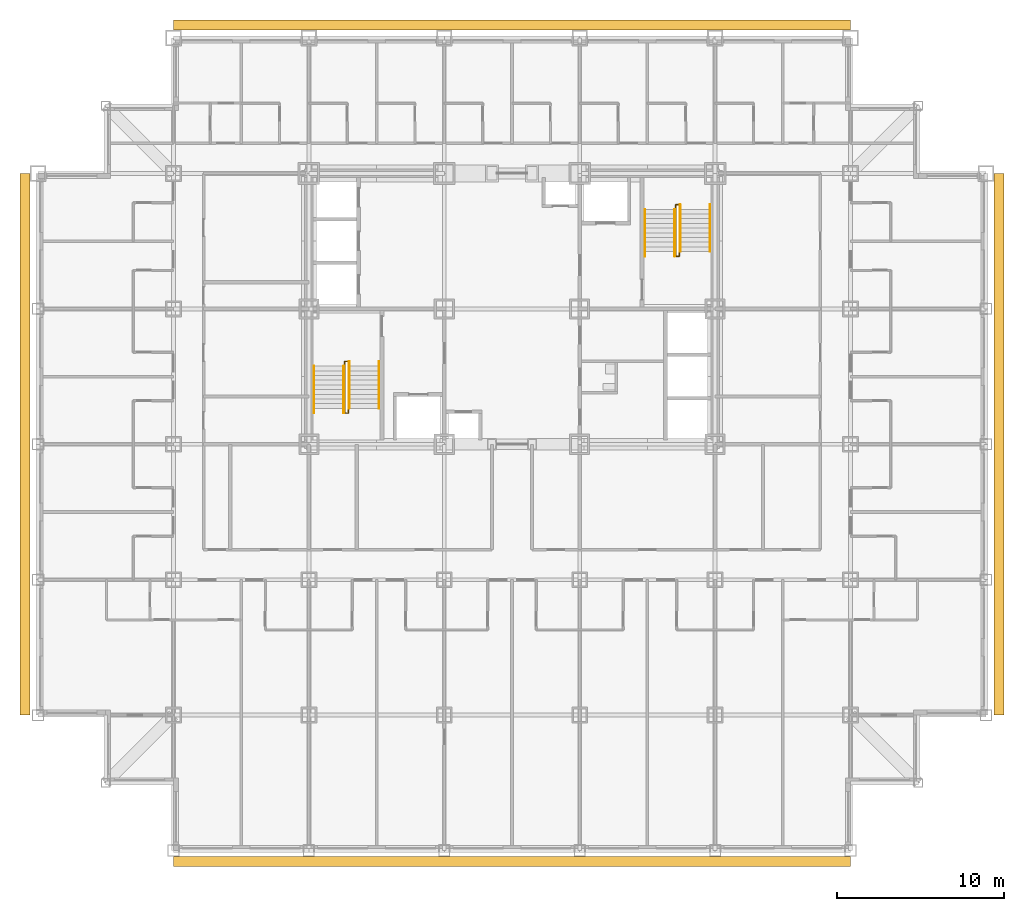
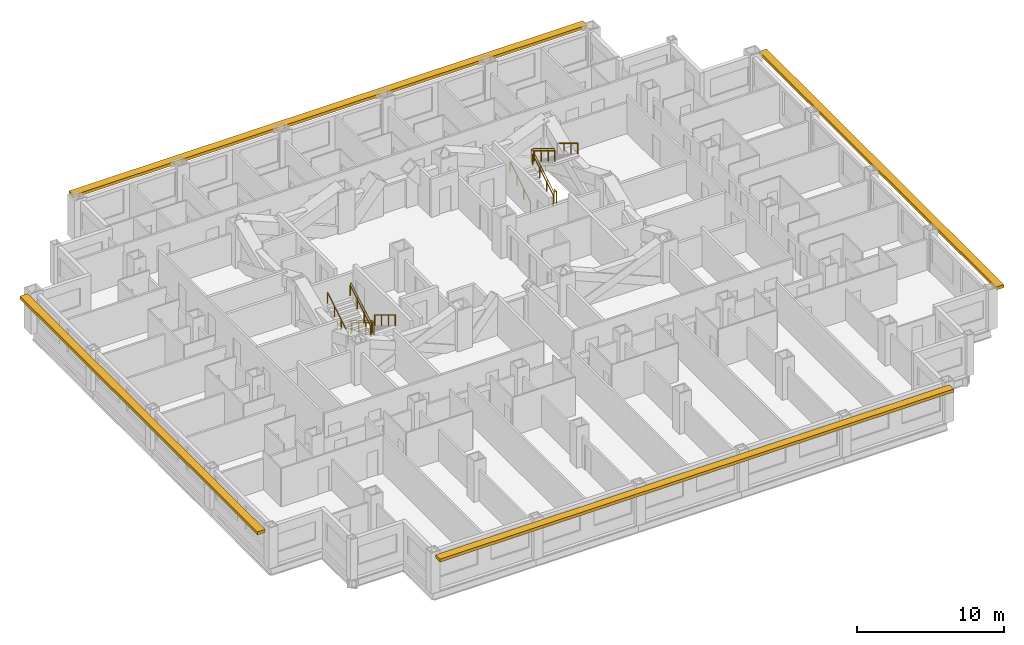
# One storey, part 12 of 13: 10 railings, 4 shading devices.
"""IFC4 building model written with IfcOpenShell, lengths in metres."""

import ifcopenshell
import ifcopenshell.guid

model = None  # the IFC model being written
_history = None  # IfcOwnerHistory: only IFC2X3 demands one
_inside = {}  # id of a spatial element -> (the spatial element, [elements in it])
_under = {}  # id of a project, library or spatial element -> (it, [spatial elements below it])
_declared = {}  # id of a project -> (the project, [libraries it declares])
_typed = {}  # id of a type object -> (the type object, [elements of that type])
_made_of = {}  # id of a material, layer set ... -> (it, [elements and type objects made of it])


def new_model(schema):
    """Start an empty IFC model of exactly this schema.

    Asked for "IFC4X3", IfcOpenShell would pick the latest addendum, in which some entities
    have other attributes; the version numbers below select the first issue.
    IFC2X3 requires an IfcOwnerHistory on every rooted entity: one is made here for all.
    """
    global model, _history
    if schema == "IFC4X3":
        model = ifcopenshell.file(schema_version=(4, 3, 0, 0))
    else:
        model = ifcopenshell.file(schema=schema)
    _inside.clear()
    _under.clear()
    _declared.clear()
    _typed.clear()
    _made_of.clear()
    _history = None
    if model.schema == "IFC2X3":
        org = make("IfcOrganization", Name="unknown")
        user = make(
            "IfcPersonAndOrganization",
            ThePerson=make("IfcPerson", FamilyName="unknown"),
            TheOrganization=org,
        )
        app = make(
            "IfcApplication",
            ApplicationDeveloper=org,
            Version="unknown",
            ApplicationFullName="unknown",
            ApplicationIdentifier="unknown",
        )
        _history = make(
            "IfcOwnerHistory",
            OwningUser=user,
            OwningApplication=app,
            ChangeAction="ADDED",
            CreationDate=0,
        )
    return model


def make(cls, **values):
    """One entity of the class cls with the attributes given. An attribute that is None is left unset."""
    return model.create_entity(
        cls, **{name: value for name, value in values.items() if value is not None}
    )


def rooted(cls, **values):
    """An entity with a GlobalId (a new one), such as an element, a storey or a relation."""
    return make(cls, GlobalId=ifcopenshell.guid.new(), OwnerHistory=_history, **values)


def si_unit(unit_type, name, prefix=None):
    """IfcSIUnit, for example si_unit("LENGTHUNIT", "METRE", prefix="MILLI")."""
    return make("IfcSIUnit", UnitType=unit_type, Prefix=prefix, Name=name)


def assignment(units):
    """IfcUnitAssignment: the units of a project."""
    return None if units is None else make("IfcUnitAssignment", Units=units)


def point(xyz):
    """IfcCartesianPoint."""
    return None if xyz is None else make("IfcCartesianPoint", Coordinates=xyz)


def direction(xyz):
    """IfcDirection."""
    return None if xyz is None else make("IfcDirection", DirectionRatios=xyz)


def frame(location, z_axis=None, x_axis=None):
    """IfcAxis2Placement3D, a coordinate frame: its origin and axes. An axis left out is left unset."""
    return make(
        "IfcAxis2Placement3D",
        Location=point(location),
        Axis=direction(z_axis),
        RefDirection=direction(x_axis),
    )


def frame_2d(location, x_axis=None):
    """IfcAxis2Placement2D, a coordinate frame in the plane: its origin and x axis."""
    return make(
        "IfcAxis2Placement2D", Location=point(location), RefDirection=direction(x_axis)
    )


def origin():
    """The frame at (0, 0, 0) with its axes left unset."""
    return frame((0.0, 0.0, 0.0))


def origin_2d():
    """The frame at (0, 0) in the plane with its x axis left unset."""
    return frame_2d((0.0, 0.0))


def place(relative_to, where):
    """IfcLocalPlacement: puts the frame where relative to a parent placement (None: the world)."""
    return make(
        "IfcLocalPlacement", PlacementRelTo=relative_to, RelativePlacement=where
    )


def context(
    kind, dimensions, precision=None, world=None, true_north=None, identifier=None
):
    """IfcGeometricRepresentationContext, for example the 3D "Model" context."""
    return make(
        "IfcGeometricRepresentationContext",
        ContextIdentifier=identifier,
        ContextType=kind,
        CoordinateSpaceDimension=dimensions,
        Precision=precision,
        WorldCoordinateSystem=world,
        TrueNorth=true_north,
    )


def subcontext(parent, identifier, kind, view, scale=None):
    """IfcGeometricRepresentationSubContext, for example "Body" below "Model"."""
    return make(
        "IfcGeometricRepresentationSubContext",
        ContextIdentifier=identifier,
        ContextType=kind,
        ParentContext=parent,
        TargetScale=scale,
        TargetView=view,
    )


def project(units=None, contexts=None):
    """IfcProject with its units and contexts."""
    return rooted(
        "IfcProject",
        Name="project",
        RepresentationContexts=contexts,
        UnitsInContext=assignment(units),
    )


def spatial(cls, under=None, at=None, **own):
    """A site, building, storey or space (cls), placed at a placement, below another one or the project."""
    s = rooted(cls, ObjectPlacement=at, **own)
    if under is not None:
        _under.setdefault(under.id(), (under, []))[1].append(s)
    return s


def profile(cls, at=None, kind="AREA", **sizes):
    """A parametric profile (cls). Its sizes go by their IFC names, for example OverallWidth=200.0."""
    return make(cls, ProfileType=kind, Position=at, **sizes)


def rectangle(**sizes):
    """IfcRectangleProfileDef."""
    return profile("IfcRectangleProfileDef", **sizes)


def circle(**sizes):
    """IfcCircleProfileDef."""
    return profile("IfcCircleProfileDef", **sizes)


def extrude(swept, where, along, depth):
    """IfcExtrudedAreaSolid: the profile swept, set in the frame where, extruded along a direction by depth."""
    return make(
        "IfcExtrudedAreaSolid",
        SweptArea=swept,
        Position=where,
        ExtrudedDirection=direction(along),
        Depth=depth,
    )


def shape(context_of_items, identifier, shape_type, items):
    """IfcShapeRepresentation: the items that make up one representation, for example the "Body"."""
    return make(
        "IfcShapeRepresentation",
        ContextOfItems=context_of_items,
        RepresentationIdentifier=identifier,
        RepresentationType=shape_type,
        Items=items,
    )


def material(Name=None, Category=None):
    """IfcMaterial."""
    return make("IfcMaterial", Name=Name, Category=Category)


def made_of(thing, what):
    """Note that an element or type object is made of a material, layer set ...; save() writes the relation."""
    if what is not None:
        _made_of.setdefault(what.id(), (what, []))[1].append(thing)
    return thing


def type_object(cls, material=None, **own):
    """A type object (cls), such as IfcWallType, which elements share."""
    return made_of(rooted(cls, **own), material)


def element(
    cls,
    number,
    at=None,
    inside=None,
    cuts=None,
    type_object=None,
    material=None,
    context=None,
    identifier="Body",
    shape_type=None,
    held_by="IfcProductDefinitionShape",
    body=None,
    shapes=None,
    **own,
):
    """One element of the class cls, such as IfcWall. Its Tag is "e" and its number.

    at: its placement. inside: the storey or other place that contains it. cuts: it is an
    opening in that element (IfcRelVoidsElement). A single representation is given by context,
    identifier, shape_type and body (its items); several are given by shapes. held_by: the class
    of the entity that holds the representations. save() writes the other relations.
    """
    e = rooted(cls, Tag="e%d" % number, ObjectPlacement=at, **own)
    if body is not None:
        shapes = [shape(context, identifier, shape_type, body)]
    if shapes is not None:
        e.Representation = make(held_by, Representations=shapes)
    if inside is not None:
        _inside.setdefault(inside.id(), (inside, []))[1].append(e)
    if cuts is not None:
        rooted(
            "IfcRelVoidsElement", RelatingBuildingElement=cuts, RelatedOpeningElement=e
        )
    if type_object is not None:
        _typed.setdefault(type_object.id(), (type_object, []))[1].append(e)
    return made_of(e, material)


def aggregate(whole, parts):
    """IfcRelAggregates: a whole, such as a stair, and the parts it consists of."""
    return rooted("IfcRelAggregates", RelatingObject=whole, RelatedObjects=parts)


def save(model, path):
    """Write the relations noted so far, then the file.

    IfcRelAggregates (storeys below a building ...), IfcRelContainedInSpatialStructure (elements
    in a storey), IfcRelDefinesByType, IfcRelAssociatesMaterial and IfcRelDeclares: one each for
    every whole, place, type object, material and project.
    """
    for whole, parts in _under.values():
        aggregate(whole, parts)
    for where, things in _inside.values():
        rooted(
            "IfcRelContainedInSpatialStructure",
            RelatedElements=things,
            RelatingStructure=where,
        )
    for kind, things in _typed.values():
        rooted("IfcRelDefinesByType", RelatedObjects=things, RelatingType=kind)
    for what, things in _made_of.values():
        rooted("IfcRelAssociatesMaterial", RelatedObjects=things, RelatingMaterial=what)
    for by, libraries in _declared.values():
        rooted("IfcRelDeclares", RelatingContext=by, RelatedDefinitions=libraries)
    model.write(path)


model = new_model("IFC4")

# Units and contexts
model_context = context("Model", 3, precision=1e-05, world=origin(), true_north=direction((0.0, 1.0)))
body_context = subcontext(model_context, "Body", "Model", "MODEL_VIEW")
ifc_project = project(units=[si_unit("LENGTHUNIT", "METRE"), si_unit("AREAUNIT", "SQUARE_METRE"), si_unit("VOLUMEUNIT", "CUBIC_METRE"), si_unit("PLANEANGLEUNIT", "RADIAN"), si_unit("MASSUNIT", "GRAM", prefix="KILO")], contexts=[model_context])

# Site, building, storey
site_placement = place(None, origin())
site = spatial("IfcSite", under=ifc_project, at=site_placement, CompositionType="ELEMENT")
building_placement = place(site_placement, origin())
building = spatial("IfcBuilding", under=site, at=building_placement, Name="Kopane Lantern Tower", CompositionType="ELEMENT")
storey_placement = place(building_placement, frame((0.0, 0.0, 50.0)))
storey = spatial("IfcBuildingStorey", under=building, at=storey_placement, Name="L11", CompositionType="ELEMENT", Elevation=50.0)

# Railings
ifc_material_1 = material(Name="Steel", Category="steel")
railing_type_1 = type_object("IfcRailingType", Name="STAIR GUARD 1100", PredefinedType="GUARDRAIL", material=ifc_material_1)
railing_1_placement = place(storey_placement, frame((18.35009765625, 28.969970703125, 0.0)))
element("IfcRailing", 1, at=railing_1_placement, inside=storey, type_object=railing_type_1, Name="ST1 well guard L11", PredefinedType="GUARDRAIL", context=body_context, shape_type="SweptSolid", body=[
    extrude(circle(Radius=0.02392578125, at=origin_2d()), frame((0.0, 0.0, 1.076171875), z_axis=(0.0, 1.0, 0.0), x_axis=(-1.0, 0.0, 0.0)), (0.0, 0.0, 1.0), 0.280029296875),
    extrude(circle(Radius=0.02392578125, at=origin_2d()), frame((0.0, 0.280029296875, 1.076171875), z_axis=(1.0, 0.0, 0.0), x_axis=(0.0, 1.0, 0.0)), (0.0, 0.0, 1.0), 0.199951171875),
    extrude(circle(Radius=0.02392578125, at=origin_2d()), frame((0.199951171875, 0.280029296875, 1.076171875), z_axis=(0.0, -0.854798142509, 0.518960630071), x_axis=(1.0, 0.0, 0.0)), (0.0, 0.0, 1.0), 3.275634765625),
    extrude(circle(Radius=0.02392578125, at=origin_2d()), frame((0.199951171875, -2.52001953125, 2.77587890625), z_axis=(0.0, -1.0, 0.0), x_axis=(1.0, 0.0, 0.0)), (0.0, 0.0, 1.0), 0.280029296875),
    extrude(circle(Radius=0.02392578125, at=origin_2d()), frame((0.199951171875, -2.800048828125, 2.77587890625), z_axis=(-1.0, 0.0, 0.0), x_axis=(0.0, -1.0, 0.0)), (0.0, 0.0, 1.0), 0.199951171875),
    extrude(circle(Radius=0.02392578125, at=origin_2d()), frame((0.0, -2.800048828125, 2.77587890625), z_axis=(0.0, 0.854798142509, 0.518960630071), x_axis=(-1.0, 0.0, 0.0)), (0.0, 0.0, 1.0), 3.275634765625),
    extrude(circle(Radius=0.02099609375, at=origin_2d()), origin(), (0.0, 0.0, 1.0), 1.052001953125),
    extrude(circle(Radius=0.02099609375, at=origin_2d()), frame((0.0, 0.280029296875, 0.0)), (0.0, 0.0, 1.0), 1.052001953125),
    extrude(circle(Radius=0.02099609375, at=origin_2d()), frame((0.199951171875, 0.280029296875, 0.0)), (0.0, 0.0, 1.0), 1.052001953125),
    extrude(circle(Radius=0.02099609375, at=origin_2d()), frame((0.199951171875, -0.6533203125, 0.566650390625)), (0.0, 0.0, 1.0), 1.052001953125),
    extrude(circle(Radius=0.02099609375, at=origin_2d()), frame((0.199951171875, -1.586669921875, 1.13330078125)), (0.0, 0.0, 1.0), 1.052001953125),
    extrude(circle(Radius=0.02099609375, at=origin_2d()), frame((0.199951171875, -2.52001953125, 1.699951171875)), (0.0, 0.0, 1.0), 1.052001953125),
    extrude(circle(Radius=0.02099609375, at=origin_2d()), frame((0.199951171875, -2.800048828125, 1.699951171875)), (0.0, 0.0, 1.0), 1.052001953125),
    extrude(circle(Radius=0.02099609375, at=origin_2d()), frame((0.0, -2.800048828125, 1.699951171875)), (0.0, 0.0, 1.0), 1.052001953125),
    extrude(circle(Radius=0.02099609375, at=origin_2d()), frame((0.0, -1.86669921875, 2.2666015625)), (0.0, 0.0, 1.0), 1.052001953125),
    extrude(circle(Radius=0.02099609375, at=origin_2d()), frame((0.0, -0.933349609375, 2.833251953125)), (0.0, 0.0, 1.0), 1.052001953125),
    extrude(circle(Radius=0.02099609375, at=origin_2d()), frame((0.0, 0.0, 3.39990234375)), (0.0, 0.0, 1.0), 1.052001953125),
])
railing_2_placement = place(storey_placement, frame((38.35009765625, 35.830078125, 0.0)))
element("IfcRailing", 2, at=railing_2_placement, inside=storey, type_object=railing_type_1, Name="ST2 well guard L11", PredefinedType="GUARDRAIL", context=body_context, shape_type="SweptSolid", body=[
    extrude(circle(Radius=0.02392578125, at=origin_2d()), frame((0.0, 0.0, 1.076171875), z_axis=(0.0, -1.0, 0.0), x_axis=(1.0, 0.0, 0.0)), (0.0, 0.0, 1.0), 0.280029296875),
    extrude(circle(Radius=0.02392578125, at=origin_2d()), frame((0.0, -0.280029296875, 1.076171875), z_axis=(-1.0, 0.0, 0.0), x_axis=(0.0, -1.0, 0.0)), (0.0, 0.0, 1.0), 0.2001953125),
    extrude(circle(Radius=0.02392578125, at=origin_2d()), frame((-0.2001953125, -0.280029296875, 1.076171875), z_axis=(0.0, 0.854798142509, 0.518960630071), x_axis=(-1.0, 0.0, 0.0)), (0.0, 0.0, 1.0), 3.275634765625),
    extrude(circle(Radius=0.02392578125, at=origin_2d()), frame((-0.2001953125, 2.52001953125, 2.77587890625), z_axis=(0.0, 1.0, 0.0), x_axis=(-1.0, 0.0, 0.0)), (0.0, 0.0, 1.0), 0.27978515625),
    extrude(circle(Radius=0.02392578125, at=origin_2d()), frame((-0.2001953125, 2.7998046875, 2.77587890625), z_axis=(1.0, 0.0, 0.0), x_axis=(0.0, 1.0, 0.0)), (0.0, 0.0, 1.0), 0.2001953125),
    extrude(circle(Radius=0.02392578125, at=origin_2d()), frame((0.0, 2.7998046875, 2.77587890625), z_axis=(0.0, -0.854778067842, 0.518993694313), x_axis=(1.0, 0.0, 0.0)), (0.0, 0.0, 1.0), 3.275390625),
    extrude(circle(Radius=0.02099609375, at=origin_2d()), origin(), (0.0, 0.0, 1.0), 1.052001953125),
    extrude(circle(Radius=0.02099609375, at=origin_2d()), frame((0.0, -0.280029296875, 0.0)), (0.0, 0.0, 1.0), 1.052001953125),
    extrude(circle(Radius=0.02099609375, at=origin_2d()), frame((-0.2001953125, -0.280029296875, 0.0)), (0.0, 0.0, 1.0), 1.052001953125),
    extrude(circle(Radius=0.02099609375, at=origin_2d()), frame((-0.2001953125, 0.6533203125, 0.566650390625)), (0.0, 0.0, 1.0), 1.052001953125),
    extrude(circle(Radius=0.02099609375, at=origin_2d()), frame((-0.2001953125, 1.586669921875, 1.13330078125)), (0.0, 0.0, 1.0), 1.052001953125),
    extrude(circle(Radius=0.02099609375, at=origin_2d()), frame((-0.2001953125, 2.52001953125, 1.699951171875)), (0.0, 0.0, 1.0), 1.052001953125),
    extrude(circle(Radius=0.02099609375, at=origin_2d()), frame((-0.2001953125, 2.7998046875, 1.699951171875)), (0.0, 0.0, 1.0), 1.052001953125),
    extrude(circle(Radius=0.02099609375, at=origin_2d()), frame((0.0, 2.7998046875, 1.699951171875)), (0.0, 0.0, 1.0), 1.052001953125),
    extrude(circle(Radius=0.02099609375, at=origin_2d()), frame((0.0, 1.866455078125, 2.2666015625)), (0.0, 0.0, 1.0), 1.052001953125),
    extrude(circle(Radius=0.02099609375, at=origin_2d()), frame((0.0, 0.933349609375, 2.833251953125)), (0.0, 0.0, 1.0), 1.052001953125),
    extrude(circle(Radius=0.02099609375, at=origin_2d()), frame((0.0, 0.0, 3.39990234375)), (0.0, 0.0, 1.0), 1.052001953125),
])
ifc_material_2 = material(Name="Steel", Category="steel")
railing_type_2 = type_object("IfcRailingType", Name="STAIR HANDRAIL 900", PredefinedType="HANDRAIL", material=ifc_material_2)
for number, where, name in (
    (3, (20.389892578125, 29.25, 0.0), "ST1 handrail L11 flight 1"),
    (4, (18.610107421875, 29.25, 0.0), "ST1 handrail L11 flight 1"),
):
    element("IfcRailing", number, at=place(storey_placement, frame(where)), inside=storey, type_object=railing_type_2, Name=name, PredefinedType="HANDRAIL", context=body_context, shape_type="SweptSolid", body=[
        extrude(circle(Radius=0.02392578125, at=origin_2d()), frame((0.0, 0.0, 0.8759765625), z_axis=(0.0, -0.854798142509, 0.518960630071), x_axis=(1.0, 0.0, 0.0)), (0.0, 0.0, 1.0), 3.275634765625),
        extrude(circle(Radius=0.02099609375, at=origin_2d()), origin(), (0.0, 0.0, 1.0), 0.851806640625),
        extrude(circle(Radius=0.02099609375, at=origin_2d()), frame((0.0, -0.933349609375, 0.566650390625)), (0.0, 0.0, 1.0), 0.851806640625),
        extrude(circle(Radius=0.02099609375, at=origin_2d()), frame((0.0, -1.86669921875, 1.13330078125)), (0.0, 0.0, 1.0), 0.851806640625),
        extrude(circle(Radius=0.02099609375, at=origin_2d()), frame((0.0, -2.800048828125, 1.699951171875)), (0.0, 0.0, 1.0), 0.851806640625),
    ])
for number, where, name in (
    (5, (16.510009765625, 26.169921875, 1.699951171875), "ST1 handrail L11 flight 2"),
    (6, (18.2900390625, 26.169921875, 1.699951171875), "ST1 handrail L11 flight 2"),
    (7, (36.31005859375, 35.550048828125, 0.0), "ST2 handrail L11 flight 1"),
    (8, (38.090087890625, 35.550048828125, 0.0), "ST2 handrail L11 flight 1"),
):
    element("IfcRailing", number, at=place(storey_placement, frame(where)), inside=storey, type_object=railing_type_2, Name=name, PredefinedType="HANDRAIL", context=body_context, shape_type="SweptSolid", body=[
        extrude(circle(Radius=0.02392578125, at=origin_2d()), frame((0.0, 0.0, 0.8759765625), z_axis=(0.0, 0.854798142509, 0.518960630071), x_axis=(-1.0, 0.0, 0.0)), (0.0, 0.0, 1.0), 3.275634765625),
        extrude(circle(Radius=0.02099609375, at=origin_2d()), origin(), (0.0, 0.0, 1.0), 0.851806640625),
        extrude(circle(Radius=0.02099609375, at=origin_2d()), frame((0.0, 0.933349609375, 0.566650390625)), (0.0, 0.0, 1.0), 0.851806640625),
        extrude(circle(Radius=0.02099609375, at=origin_2d()), frame((0.0, 1.86669921875, 1.13330078125)), (0.0, 0.0, 1.0), 0.851806640625),
        extrude(circle(Radius=0.02099609375, at=origin_2d()), frame((0.0, 2.800048828125, 1.699951171875)), (0.0, 0.0, 1.0), 0.851806640625),
    ])
for number, where, name in (
    (9, (40.18994140625, 38.6298828125, 1.699951171875), "ST2 handrail L11 flight 2"),
    (10, (38.409912109375, 38.6298828125, 1.699951171875), "ST2 handrail L11 flight 2"),
):
    element("IfcRailing", number, at=place(storey_placement, frame(where)), inside=storey, type_object=railing_type_2, Name=name, PredefinedType="HANDRAIL", context=body_context, shape_type="SweptSolid", body=[
        extrude(circle(Radius=0.02392578125, at=origin_2d()), frame((0.0, 0.0, 0.8759765625), z_axis=(0.0, -0.854778067842, 0.518993694313), x_axis=(1.0, 0.0, 0.0)), (0.0, 0.0, 1.0), 3.275390625),
        extrude(circle(Radius=0.02099609375, at=origin_2d()), origin(), (0.0, 0.0, 1.0), 0.851806640625),
        extrude(circle(Radius=0.02099609375, at=origin_2d()), frame((0.0, -0.933349609375, 0.566650390625)), (0.0, 0.0, 1.0), 0.851806640625),
        extrude(circle(Radius=0.02099609375, at=origin_2d()), frame((0.0, -1.866455078125, 1.13330078125)), (0.0, 0.0, 1.0), 0.851806640625),
        extrude(circle(Radius=0.02099609375, at=origin_2d()), frame((0.0, -2.7998046875, 1.699951171875)), (0.0, 0.0, 1.0), 0.851806640625),
    ])

# Shading devices
ifc_material_3 = material(Name="Terracotta rainscreen on light steel framing", Category="masonry")
shading_device_type = type_object("IfcShadingDeviceType", Name="SUNSHADE BAND SB1 600 TERRACOTTA", PredefinedType="USERDEFINED", material=ifc_material_3)
shading_device_1_placement = place(storey_placement, frame((28.35009765625, -0.64990234375, 2.89990234375), z_axis=(0.0, 0.0, 1.0), x_axis=(1.0, 0.0, 0.0)))
element("IfcShadingDevice", 11, at=shading_device_1_placement, inside=storey, type_object=shading_device_type, Name="Sunshade band S L11", ObjectType="SUNSHADE BAND", PredefinedType="USERDEFINED", context=body_context, shape_type="SweptSolid", body=[
    extrude(rectangle(XDim=40.5, YDim=0.60009765625, at=origin_2d()), origin(), (0.0, 0.0, 1.0), 0.25),
])
shading_device_2_placement = place(storey_placement, frame((57.47509765625, 24.300048828125, 2.89990234375), z_axis=(0.0, 0.0, 1.0), x_axis=(0.0, 1.0, 0.0)))
element("IfcShadingDevice", 12, at=shading_device_2_placement, inside=storey, type_object=shading_device_type, Name="Sunshade band E L11", ObjectType="SUNSHADE BAND", PredefinedType="USERDEFINED", context=body_context, shape_type="SweptSolid", body=[
    extrude(rectangle(XDim=32.39990234375, YDim=0.60009765625, at=origin_2d()), origin(), (0.0, 0.0, 1.0), 0.25),
])
shading_device_3_placement = place(storey_placement, frame((28.35009765625, 49.375, 2.89990234375), z_axis=(0.0, 0.0, 1.0), x_axis=(-1.0, 0.0, 0.0)))
element("IfcShadingDevice", 13, at=shading_device_3_placement, inside=storey, type_object=shading_device_type, Name="Sunshade band N L11", ObjectType="SUNSHADE BAND", PredefinedType="USERDEFINED", context=body_context, shape_type="SweptSolid", body=[
    extrude(rectangle(XDim=40.5, YDim=0.60009765625, at=origin_2d()), origin(), (0.0, 0.0, 1.0), 0.25),
])
shading_device_4_placement = place(storey_placement, frame((-0.77490234375, 24.300048828125, 2.89990234375), z_axis=(0.0, 0.0, 1.0), x_axis=(0.0, -1.0, 0.0)))
element("IfcShadingDevice", 14, at=shading_device_4_placement, inside=storey, type_object=shading_device_type, Name="Sunshade band W L11", ObjectType="SUNSHADE BAND", PredefinedType="USERDEFINED", context=body_context, shape_type="SweptSolid", body=[
    extrude(rectangle(XDim=32.39990234375, YDim=0.60009765625, at=origin_2d()), origin(), (0.0, 0.0, 1.0), 0.25),
])

save(model, "model.ifc")
